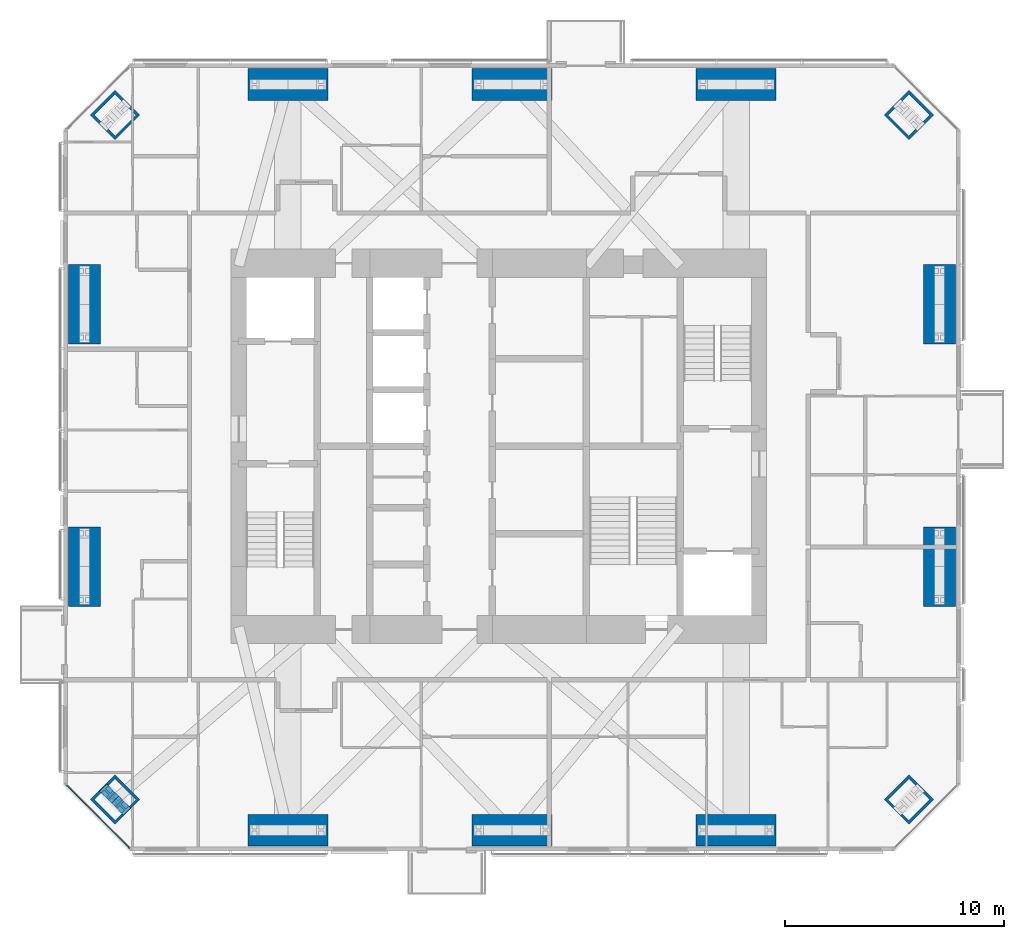
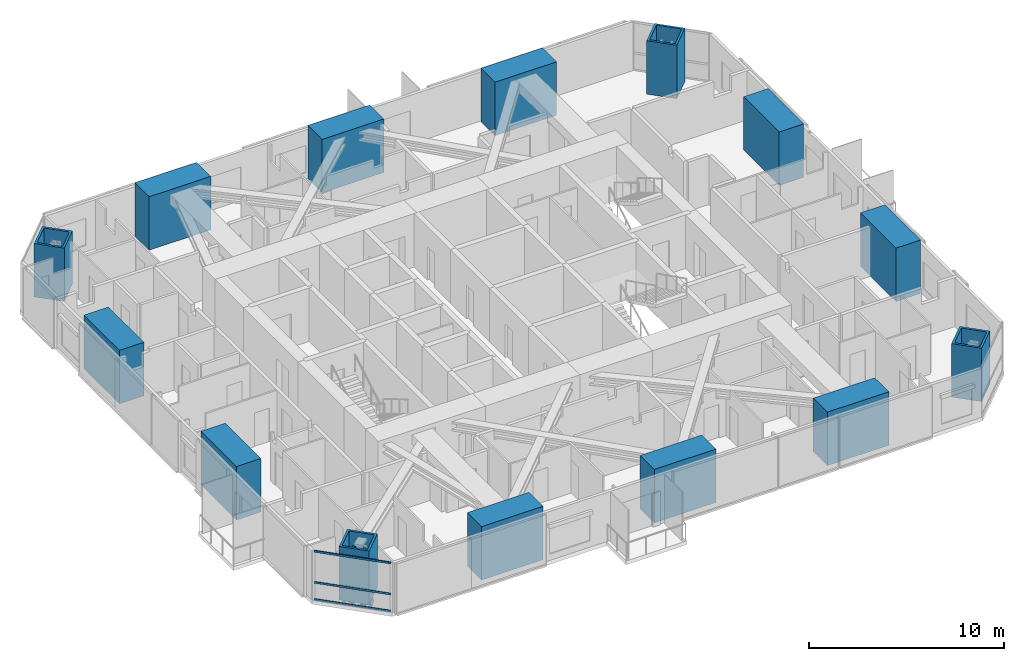
# One storey, part 1 of 22: 14 columns, 7 members, 1 element without a shape of its own.
"""IFC4 building model written with IfcOpenShell, lengths in metres."""

from ifc_helpers import new_model, si_unit, direction, frame, origin, origin_2d, place, context, subcontext, project, spatial, rectangle, hollow_rectangle, i_section, extrude, material, material_profile, profile_set, type_object, element, aggregate, save


model = new_model("IFC4")

# Units and contexts
model_context = context("Model", 3, precision=1e-05, world=origin(), true_north=direction((0.0, 1.0)))
body_context = subcontext(model_context, "Body", "Model", "MODEL_VIEW")
ifc_project = project(units=[si_unit("LENGTHUNIT", "METRE"), si_unit("AREAUNIT", "SQUARE_METRE"), si_unit("VOLUMEUNIT", "CUBIC_METRE"), si_unit("PLANEANGLEUNIT", "RADIAN"), si_unit("MASSUNIT", "GRAM", prefix="KILO")], contexts=[model_context])

# Site, building, storey
site_placement = place(None, origin())
site = spatial("IfcSite", under=ifc_project, at=site_placement, CompositionType="ELEMENT")
building_placement = place(site_placement, origin())
building = spatial("IfcBuilding", under=site, at=building_placement, Name="Jalousie Tower", CompositionType="ELEMENT")
storey_placement = place(building_placement, frame((0.0, 0.0, 204.60009765625)))
storey = spatial("IfcBuildingStorey", under=building, at=storey_placement, Name="L56", CompositionType="ELEMENT", Elevation=204.60009765625)

# Columns
ifc_material_1 = material(Name="Steel EN 10025-2 S355J2 plate", Category="steel")
ifc_material_profile_1 = material_profile(ifc_material_1, hollow_rectangle(XDim=1.60009765625, YDim=1.60009765625, WallThickness=0.125, at=origin_2d()), Name="BOX 1600x1600x125")
ifc_profile_set_1 = profile_set([ifc_material_profile_1], Name="Steel EN 10025-2 S355J2 plate")
column_type_1 = type_object("IfcColumnType", Name="BUILT-UP BOX CORNER COLUMN BOX 1600x1600x125", PredefinedType="COLUMN", material=ifc_profile_set_1)
for number, where, z_axis, x_axis, name in (
    (1, (14.348388671875, 2.348388671875, 0.0), (0.0, 0.0, 1.0), (0.707106781187, 0.707106781187, 0.0), "Corner column 01 L56"),
    (2, (50.651611328125, 2.348388671875, 0.0), (0.0, 0.0, 1.0), (-0.707106781187, 0.707106781187, 0.0), "Corner column 05 L56"),
    (3, (50.651611328125, 33.651611328125, 0.0), (0.0, 0.0, 1.0), (-0.707106781187, -0.707106781187, 0.0), "Corner column 08 L56"),
    (4, (14.348388671875, 33.651611328125, 0.0), (0.0, 0.0, 1.0), (0.707106781187, -0.707106781187, 0.0), "Corner column 12 L56"),
):
    element("IfcColumn", number, at=place(storey_placement, frame(where, z_axis=z_axis, x_axis=x_axis)), inside=storey, type_object=column_type_1, Name=name, PredefinedType="COLUMN", context=body_context, shape_type="SweptSolid", body=[
        extrude(hollow_rectangle(XDim=1.60009765625, YDim=1.60009765625, WallThickness=0.125, at=origin_2d()), origin(), (0.0, 0.0, 1.0), 3.349853515625),
    ])
ifc_material_2 = material(Name="Concrete f'c 120 MPa", Category="concrete")
ifc_material_profile_2 = material_profile(ifc_material_2, rectangle(XDim=1.449951171875, YDim=3.64990234375, at=origin_2d()), Name="RC 1450x3650")
ifc_profile_set_2 = profile_set([ifc_material_profile_2], Name="Concrete f'c 120 MPa")
column_type_2 = type_object("IfcColumnType", Name="RC COLUMN 1450x3650", PredefinedType="COLUMN", material=ifc_profile_set_2)
for number, where, z_axis, x_axis, name in (
    (5, (22.25, 0.949951171875, 0.0), (0.0, 0.0, 1.0), (0.0, 1.0, 0.0), "Column 02 L56"),
    (6, (32.5, 0.949951171875, 0.0), (0.0, 0.0, 1.0), (0.0, 1.0, 0.0), "Column 03 L56"),
    (7, (42.75, 0.949951171875, 0.0), (0.0, 0.0, 1.0), (0.0, 1.0, 0.0), "Column 04 L56"),
    (8, (52.050048828125, 13.0, 0.0), (0.0, 0.0, 1.0), (1.0, 0.0, 0.0), "Column 06 L56"),
    (9, (52.050048828125, 25.0, 0.0), (0.0, 0.0, 1.0), (1.0, 0.0, 0.0), "Column 07 L56"),
    (10, (42.75, 35.050048828125, 0.0), (0.0, 0.0, 1.0), (0.0, 1.0, 0.0), "Column 09 L56"),
    (11, (32.5, 35.050048828125, 0.0), (0.0, 0.0, 1.0), (0.0, 1.0, 0.0), "Column 10 L56"),
    (12, (22.25, 35.050048828125, 0.0), (0.0, 0.0, 1.0), (0.0, 1.0, 0.0), "Column 11 L56"),
    (13, (12.949951171875, 25.0, 0.0), (0.0, 0.0, 1.0), (1.0, 0.0, 0.0), "Column 13 L56"),
    (14, (12.949951171875, 13.0, 0.0), (0.0, 0.0, 1.0), (1.0, 0.0, 0.0), "Column 14 L56"),
):
    element("IfcColumn", number, at=place(storey_placement, frame(where, z_axis=z_axis, x_axis=x_axis)), inside=storey, type_object=column_type_2, Name=name, PredefinedType="COLUMN", context=body_context, shape_type="SweptSolid", body=[
        extrude(rectangle(XDim=1.449951171875, YDim=3.64990234375, at=origin_2d()), origin(), (0.0, 0.0, 1.0), 3.349853515625),
    ])

# Curtain wall, members
ifc_material_3 = material(Name="Aluminium curtain wall", Category="aluminium")
curtain_wall_type = type_object("IfcCurtainWallType", Name="CORNER WINDOW WALL", PredefinedType="USERDEFINED", material=ifc_material_3)
curtain_wall_placement = place(storey_placement, origin())
curtain_wall = element("IfcCurtainWall", 15, at=curtain_wall_placement, inside=storey, type_object=curtain_wall_type, Name="Corner Window Wall L56 8", ObjectType="CORNER WINDOW WALL", PredefinedType="USERDEFINED")
ifc_material_4 = material(Name="Aluminium transom", Category="aluminium")
ifc_material_profile_3 = material_profile(ifc_material_4, rectangle(XDim=0.06005859375, YDim=0.1201171875, at=origin_2d()), Name="TRANSOM 60x120")
ifc_profile_set_3 = profile_set([ifc_material_profile_3], Name="Aluminium transom")
member_type_1 = type_object("IfcMemberType", Name="CORNER WINDOW WALL TRANSOM", PredefinedType="USERDEFINED", material=ifc_profile_set_3)
member_1_placement = place(storey_placement, frame((12.1298828125, 3.0087890625, 0.02978515625), z_axis=(0.707106781187, -0.707106781187, 0.0), x_axis=(0.707106781187, 0.707106781187, 0.0)))
member_1 = element("IfcMember", 16, at=member_1_placement, type_object=member_type_1, Name="CW-C transom 1.1", ObjectType="TRANSOM", PredefinedType="USERDEFINED", context=body_context, shape_type="SweptSolid", body=[
    extrude(rectangle(XDim=0.06005859375, YDim=0.1201171875, at=origin_2d()), origin(), (0.0, 0.0, 1.0), 4.0712890625),
])
member_2_placement = place(storey_placement, frame((12.1298828125, 3.0087890625, 1.099853515625), z_axis=(0.707106781187, -0.707106781187, 0.0), x_axis=(0.707106781187, 0.707106781187, 0.0)))
member_2 = element("IfcMember", 17, at=member_2_placement, type_object=member_type_1, Name="CW-C transom 1.2", ObjectType="TRANSOM", PredefinedType="USERDEFINED", context=body_context, shape_type="SweptSolid", body=[
    extrude(rectangle(XDim=0.06005859375, YDim=0.1201171875, at=origin_2d()), origin(), (0.0, 0.0, 1.0), 4.0712890625),
])
member_3_placement = place(storey_placement, frame((12.1298828125, 3.0087890625, 3.039794921875), z_axis=(0.707106781187, -0.707106781187, 0.0), x_axis=(0.707106781187, 0.707106781187, 0.0)))
member_3 = element("IfcMember", 18, at=member_3_placement, type_object=member_type_1, Name="CW-C transom 1.3", ObjectType="TRANSOM", PredefinedType="USERDEFINED", context=body_context, shape_type="SweptSolid", body=[
    extrude(rectangle(XDim=0.06005859375, YDim=0.1201171875, at=origin_2d()), origin(), (0.0, 0.0, 1.0), 4.0712890625),
])
aggregate(curtain_wall, [member_1, member_2, member_3])

# Members
ifc_material_5 = material(Name="Steel ASTM A992 Grade 50", Category="steel")
ifc_material_profile_4 = material_profile(ifc_material_5, i_section(OverallWidth=0.472412109375, OverallDepth=0.5791015625, WebThickness=0.094970703125, FlangeThickness=0.1298828125, at=origin_2d()), Name="W14X808")
ifc_profile_set_4 = profile_set([ifc_material_profile_4], Name="Steel ASTM A992 Grade 50")
member_type_2 = type_object("IfcMemberType", Name="PERIMETER BRACE W14X808", PredefinedType="BRACE", material=ifc_profile_set_4)
for number, where, z_axis, x_axis, name in (
    (19, (13.9951171875, 2.7021484375, -0.60009765625), (0.202092742837, -0.202372069365, 0.958229653493), (0.707594945859, 0.706618279267, 0.0), "Perimeter brace 01 L56 part 1"),
    (20, (14.348388671875, 2.348388671875, 1.074951171875), (0.202372069365, -0.202092742837, 0.958229653493), (0.706618279267, 0.707594945859, 0.0), "Perimeter brace 01 L56 part 2"),
    (21, (14.7021484375, 1.9951171875, -0.60009765625), (-0.202372069365, 0.202092742837, 0.958229653493), (-0.706618279267, -0.707594945859, 0.0), "Perimeter brace 01 L56 part 3"),
    (22, (14.348388671875, 2.348388671875, 1.074951171875), (-0.202092742837, 0.202372069365, 0.958229653493), (-0.707594945859, -0.706618279267, 0.0), "Perimeter brace 01 L56 part 4"),
):
    element("IfcMember", number, at=place(storey_placement, frame(where, z_axis=z_axis, x_axis=x_axis)), inside=storey, type_object=member_type_2, Name=name, PredefinedType="BRACE", context=body_context, shape_type="SweptSolid", body=[
        extrude(i_section(OverallWidth=0.472412109375, OverallDepth=0.5791015625, WebThickness=0.094970703125, FlangeThickness=0.1298828125, at=origin_2d()), origin(), (0.0, 0.0, 1.0), 1.748046875),
    ])

save(model, "model.ifc")
